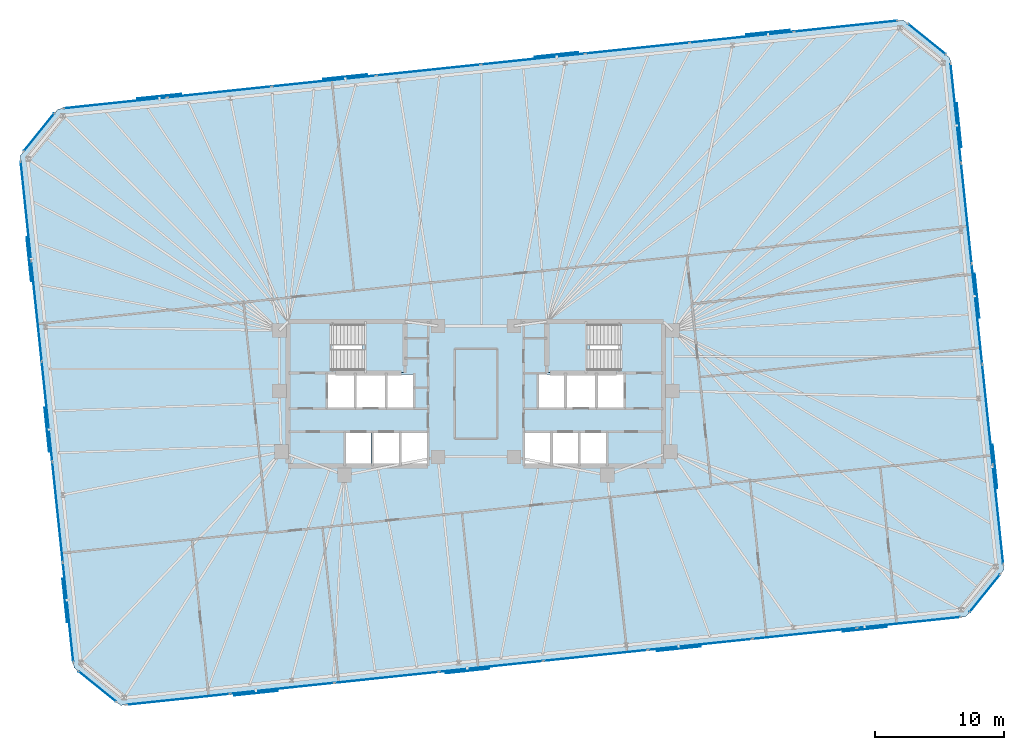
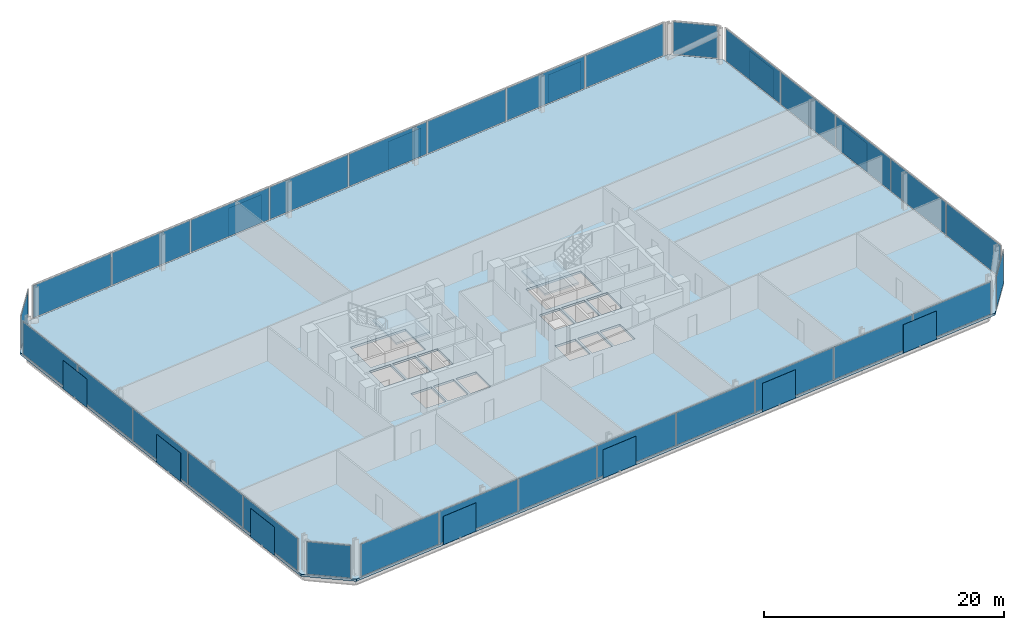
# One storey, part 13 of 18: 44 plates, 3 slabs, 10 elements without a shape of their own.
"""IFC4 building model written with IfcOpenShell, lengths in metres."""

from ifc_helpers import new_model, si_unit, direction, frame, origin, origin_2d, place, context, subcontext, project, spatial, polyline, rectangle, outline, extrude, material, layer, layer_set, type_object, element, aggregate, save


model = new_model("IFC4")

# Units and contexts
model_context = context("Model", 3, precision=1e-05, world=origin(), true_north=direction((0.0, 1.0)))
body_context = subcontext(model_context, "Body", "Model", "MODEL_VIEW")
ifc_project = project(units=[si_unit("LENGTHUNIT", "METRE"), si_unit("AREAUNIT", "SQUARE_METRE"), si_unit("VOLUMEUNIT", "CUBIC_METRE"), si_unit("PLANEANGLEUNIT", "RADIAN"), si_unit("MASSUNIT", "GRAM", prefix="KILO")], contexts=[model_context])

# Site, building, storey
site_placement = place(None, origin())
site = spatial("IfcSite", under=ifc_project, at=site_placement, CompositionType="ELEMENT")
building_placement = place(site_placement, origin())
building = spatial("IfcBuilding", under=site, at=building_placement, Name="Menara Jurai Vektor", CompositionType="ELEMENT")
storey_placement = place(building_placement, frame((0.0, 0.0, 102.199951171875)))
storey = spatial("IfcBuildingStorey", under=building, at=storey_placement, Name="L25", CompositionType="ELEMENT", Elevation=102.199951171875)

# Curtain wall, plates
ifc_material_1 = material(Name="Anodised Pale Aluminium & Low-E Double Glazing", Category="aluminium")
curtain_wall_type = type_object("IfcCurtainWallType", Name="CW-BLK2", PredefinedType="NOTDEFINED", material=ifc_material_1)
curtain_wall_1_placement = place(storey_placement, origin())
curtain_wall_1 = element("IfcCurtainWall", 1, at=curtain_wall_1_placement, inside=storey, type_object=curtain_wall_type, Name="Unitised Curtain Wall L25 F01", PredefinedType="NOTDEFINED")
ifc_material_2 = material(Name="Low-E Solar-Control Double Glazed Unit", Category="glass")
ifc_layer_1 = layer(ifc_material_2, 0.033935546875)
ifc_layer_set_1 = layer_set([ifc_layer_1], Name="Low-E Solar-Control Double Glazed Unit")
plate_type_1 = type_object("IfcPlateType", Name="CW-BLK2-PNL", PredefinedType="CURTAIN_PANEL", material=ifc_layer_set_1)
plate_1_placement = place(storey_placement, frame((-23.090087890625, -23.69921875, 0.090087890625), z_axis=(0.0, 0.0, 1.0), x_axis=(0.994521877325, 0.104528634935, 0.0)))
plate_1 = element("IfcPlate", 2, at=plate_1_placement, type_object=plate_type_1, Name="CW-02 panel 1.1", PredefinedType="CURTAIN_PANEL", context=body_context, shape_type="SweptSolid", body=[
    extrude(rectangle(XDim=8.007568359375, YDim=0.033935546875, at=origin_2d()), origin(), (0.0, 0.0, 1.0), 3.294921875),
])
plate_2_placement = place(storey_placement, frame((-15.014404296875, -22.850341796875, 0.090087890625), z_axis=(0.0, 0.0, 1.0), x_axis=(0.994521877325, 0.104528634935, 0.0)))
plate_2 = element("IfcPlate", 3, at=plate_2_placement, type_object=plate_type_1, Name="CW-02 panel 2.1", PredefinedType="CURTAIN_PANEL", context=body_context, shape_type="SweptSolid", body=[
    extrude(rectangle(XDim=8.052490234375, YDim=0.033935546875, at=origin_2d()), origin(), (0.0, 0.0, 1.0), 3.294921875),
])
plate_3_placement = place(storey_placement, frame((-6.91650390625, -21.999267578125, 0.090087890625), z_axis=(0.0, 0.0, 1.0), x_axis=(0.994521877325, 0.104528634935, 0.0)))
plate_3 = element("IfcPlate", 4, at=plate_3_placement, type_object=plate_type_1, Name="CW-02 panel 3.1", PredefinedType="CURTAIN_PANEL", context=body_context, shape_type="SweptSolid", body=[
    extrude(rectangle(XDim=8.052490234375, YDim=0.033935546875, at=origin_2d()), origin(), (0.0, 0.0, 1.0), 3.294921875),
])
plate_4_placement = place(storey_placement, frame((1.181396484375, -21.148193359375, 0.090087890625), z_axis=(0.0, 0.0, 1.0), x_axis=(0.994521877325, 0.104528634935, 0.0)))
plate_4 = element("IfcPlate", 5, at=plate_4_placement, type_object=plate_type_1, Name="CW-02 panel 4.1", PredefinedType="CURTAIN_PANEL", context=body_context, shape_type="SweptSolid", body=[
    extrude(rectangle(XDim=8.052490234375, YDim=0.033935546875, at=origin_2d()), origin(), (0.0, 0.0, 1.0), 3.294921875),
])
plate_5_placement = place(storey_placement, frame((9.279296875, -20.297119140625, 0.090087890625), z_axis=(0.0, 0.0, 1.0), x_axis=(0.994521877325, 0.104528634935, 0.0)))
plate_5 = element("IfcPlate", 6, at=plate_5_placement, type_object=plate_type_1, Name="CW-02 panel 5.1", PredefinedType="CURTAIN_PANEL", context=body_context, shape_type="SweptSolid", body=[
    extrude(rectangle(XDim=8.052490234375, YDim=0.033935546875, at=origin_2d()), origin(), (0.0, 0.0, 1.0), 3.294921875),
])
plate_6_placement = place(storey_placement, frame((17.377197265625, -19.44580078125, 0.090087890625), z_axis=(0.0, 0.0, 1.0), x_axis=(0.994521877325, 0.104528634935, 0.0)))
plate_6 = element("IfcPlate", 7, at=plate_6_placement, type_object=plate_type_1, Name="CW-02 panel 6.1", PredefinedType="CURTAIN_PANEL", context=body_context, shape_type="SweptSolid", body=[
    extrude(rectangle(XDim=8.052490234375, YDim=0.033935546875, at=origin_2d()), origin(), (0.0, 0.0, 1.0), 3.294921875),
])
plate_7_placement = place(storey_placement, frame((25.47509765625, -18.5947265625, 0.090087890625), z_axis=(0.0, 0.0, 1.0), x_axis=(0.994521877325, 0.104528634935, 0.0)))
plate_7 = element("IfcPlate", 8, at=plate_7_placement, type_object=plate_type_1, Name="CW-02 panel 7.1", PredefinedType="CURTAIN_PANEL", context=body_context, shape_type="SweptSolid", body=[
    extrude(rectangle(XDim=8.052490234375, YDim=0.033935546875, at=origin_2d()), origin(), (0.0, 0.0, 1.0), 3.294921875),
])
plate_8_placement = place(storey_placement, frame((33.550537109375, -17.74609375, 0.090087890625), z_axis=(0.0, 0.0, 1.0), x_axis=(0.994521877325, 0.104528634935, 0.0)))
plate_8 = element("IfcPlate", 9, at=plate_8_placement, type_object=plate_type_1, Name="CW-02 panel 8.1", PredefinedType="CURTAIN_PANEL", context=body_context, shape_type="SweptSolid", body=[
    extrude(rectangle(XDim=8.007568359375, YDim=0.033935546875, at=origin_2d()), origin(), (0.0, 0.0, 1.0), 3.294921875),
])
aggregate(curtain_wall_1, [plate_1, plate_2, plate_3, plate_4, plate_5, plate_6, plate_7, plate_8])

curtain_wall_2_placement = place(storey_placement, origin())
curtain_wall_2 = element("IfcCurtainWall", 10, at=curtain_wall_2_placement, inside=storey, type_object=curtain_wall_type, Name="Unitised Curtain Wall L25 F03", PredefinedType="NOTDEFINED")
plate_9_placement = place(storey_placement, frame((40.485595703125, -9.358642578125, 0.090087890625), z_axis=(0.0, 0.0, 1.0), x_axis=(-0.104529576902, 0.99452177832, 0.0)))
plate_9 = element("IfcPlate", 11, at=plate_9_placement, type_object=plate_type_1, Name="CW-02 panel 1.1", PredefinedType="CURTAIN_PANEL", context=body_context, shape_type="SweptSolid", body=[
    extrude(rectangle(XDim=7.693115234375, YDim=0.033935546875, at=origin_2d()), origin(), (0.0, 0.0, 1.0), 3.294921875),
])
plate_10_placement = place(storey_placement, frame((39.669677734375, -1.595947265625, 0.090087890625), z_axis=(0.0, 0.0, 1.0), x_axis=(-0.104529576902, 0.99452177832, 0.0)))
plate_10 = element("IfcPlate", 12, at=plate_10_placement, type_object=plate_type_1, Name="CW-02 panel 2.1", PredefinedType="CURTAIN_PANEL", context=body_context, shape_type="SweptSolid", body=[
    extrude(rectangle(XDim=7.738037109375, YDim=0.033935546875, at=origin_2d()), origin(), (0.0, 0.0, 1.0), 3.294921875),
])
plate_11_placement = place(storey_placement, frame((38.8515625, 6.189208984375, 0.090087890625), z_axis=(0.0, 0.0, 1.0), x_axis=(-0.104529576902, 0.99452177832, 0.0)))
plate_11 = element("IfcPlate", 13, at=plate_11_placement, type_object=plate_type_1, Name="CW-02 panel 3.1", PredefinedType="CURTAIN_PANEL", context=body_context, shape_type="SweptSolid", body=[
    extrude(rectangle(XDim=7.738037109375, YDim=0.033935546875, at=origin_2d()), origin(), (0.0, 0.0, 1.0), 3.294921875),
])
plate_12_placement = place(storey_placement, frame((38.033203125, 13.974365234375, 0.090087890625), z_axis=(0.0, 0.0, 1.0), x_axis=(-0.104529576902, 0.99452177832, 0.0)))
plate_12 = element("IfcPlate", 14, at=plate_12_placement, type_object=plate_type_1, Name="CW-02 panel 4.1", PredefinedType="CURTAIN_PANEL", context=body_context, shape_type="SweptSolid", body=[
    extrude(rectangle(XDim=7.738037109375, YDim=0.033935546875, at=origin_2d()), origin(), (0.0, 0.0, 1.0), 3.294921875),
])
plate_13_placement = place(storey_placement, frame((37.21728515625, 21.737060546875, 0.090087890625), z_axis=(0.0, 0.0, 1.0), x_axis=(-0.104529576902, 0.99452177832, 0.0)))
plate_13 = element("IfcPlate", 15, at=plate_13_placement, type_object=plate_type_1, Name="CW-02 panel 5.1", PredefinedType="CURTAIN_PANEL", context=body_context, shape_type="SweptSolid", body=[
    extrude(rectangle(XDim=7.693115234375, YDim=0.033935546875, at=origin_2d()), origin(), (0.0, 0.0, 1.0), 3.294921875),
])
aggregate(curtain_wall_2, [plate_9, plate_10, plate_11, plate_12, plate_13])

curtain_wall_3_placement = place(storey_placement, origin())
curtain_wall_3 = element("IfcCurtainWall", 16, at=curtain_wall_3_placement, inside=storey, type_object=curtain_wall_type, Name="Unitised Curtain Wall L25 F05", PredefinedType="NOTDEFINED")
plate_14_placement = place(storey_placement, frame((28.68994140625, 28.499267578125, 0.090087890625), z_axis=(0.0, 0.0, 1.0), x_axis=(-0.994521877325, -0.104528634935, 0.0)))
plate_14 = element("IfcPlate", 17, at=plate_14_placement, type_object=plate_type_1, Name="CW-02 panel 1.1", PredefinedType="CURTAIN_PANEL", context=body_context, shape_type="SweptSolid", body=[
    extrude(rectangle(XDim=8.007568359375, YDim=0.033935546875, at=origin_2d()), origin(), (0.0, 0.0, 1.0), 3.294921875),
])
plate_15_placement = place(storey_placement, frame((20.614501953125, 27.650390625, 0.090087890625), z_axis=(0.0, 0.0, 1.0), x_axis=(-0.994521877325, -0.104528634935, 0.0)))
plate_15 = element("IfcPlate", 18, at=plate_15_placement, type_object=plate_type_1, Name="CW-02 panel 2.1", PredefinedType="CURTAIN_PANEL", context=body_context, shape_type="SweptSolid", body=[
    extrude(rectangle(XDim=8.052490234375, YDim=0.033935546875, at=origin_2d()), origin(), (0.0, 0.0, 1.0), 3.294921875),
])
plate_16_placement = place(storey_placement, frame((12.5166015625, 26.79931640625, 0.090087890625), z_axis=(0.0, 0.0, 1.0), x_axis=(-0.994521877325, -0.104528634935, 0.0)))
plate_16 = element("IfcPlate", 19, at=plate_16_placement, type_object=plate_type_1, Name="CW-02 panel 3.1", PredefinedType="CURTAIN_PANEL", context=body_context, shape_type="SweptSolid", body=[
    extrude(rectangle(XDim=8.052490234375, YDim=0.033935546875, at=origin_2d()), origin(), (0.0, 0.0, 1.0), 3.294921875),
])
plate_17_placement = place(storey_placement, frame((4.418701171875, 25.9482421875, 0.090087890625), z_axis=(0.0, 0.0, 1.0), x_axis=(-0.994521877325, -0.104528634935, 0.0)))
plate_17 = element("IfcPlate", 20, at=plate_17_placement, type_object=plate_type_1, Name="CW-02 panel 4.1", PredefinedType="CURTAIN_PANEL", context=body_context, shape_type="SweptSolid", body=[
    extrude(rectangle(XDim=8.052490234375, YDim=0.033935546875, at=origin_2d()), origin(), (0.0, 0.0, 1.0), 3.294921875),
])
plate_18_placement = place(storey_placement, frame((-3.67919921875, 25.096923828125, 0.090087890625), z_axis=(0.0, 0.0, 1.0), x_axis=(-0.994521877325, -0.104528634935, 0.0)))
plate_18 = element("IfcPlate", 21, at=plate_18_placement, type_object=plate_type_1, Name="CW-02 panel 5.1", PredefinedType="CURTAIN_PANEL", context=body_context, shape_type="SweptSolid", body=[
    extrude(rectangle(XDim=8.052490234375, YDim=0.033935546875, at=origin_2d()), origin(), (0.0, 0.0, 1.0), 3.294921875),
])
plate_19_placement = place(storey_placement, frame((-11.777099609375, 24.245849609375, 0.090087890625), z_axis=(0.0, 0.0, 1.0), x_axis=(-0.994521877325, -0.104528634935, 0.0)))
plate_19 = element("IfcPlate", 22, at=plate_19_placement, type_object=plate_type_1, Name="CW-02 panel 6.1", PredefinedType="CURTAIN_PANEL", context=body_context, shape_type="SweptSolid", body=[
    extrude(rectangle(XDim=8.052490234375, YDim=0.033935546875, at=origin_2d()), origin(), (0.0, 0.0, 1.0), 3.294921875),
])
plate_20_placement = place(storey_placement, frame((-19.875, 23.394775390625, 0.090087890625), z_axis=(0.0, 0.0, 1.0), x_axis=(-0.994521877325, -0.104528634935, 0.0)))
plate_20 = element("IfcPlate", 23, at=plate_20_placement, type_object=plate_type_1, Name="CW-02 panel 7.1", PredefinedType="CURTAIN_PANEL", context=body_context, shape_type="SweptSolid", body=[
    extrude(rectangle(XDim=8.052490234375, YDim=0.033935546875, at=origin_2d()), origin(), (0.0, 0.0, 1.0), 3.294921875),
])
plate_21_placement = place(storey_placement, frame((-27.95068359375, 22.5458984375, 0.090087890625), z_axis=(0.0, 0.0, 1.0), x_axis=(-0.994521877325, -0.104528634935, 0.0)))
plate_21 = element("IfcPlate", 24, at=plate_21_placement, type_object=plate_type_1, Name="CW-02 panel 8.1", PredefinedType="CURTAIN_PANEL", context=body_context, shape_type="SweptSolid", body=[
    extrude(rectangle(XDim=8.007568359375, YDim=0.033935546875, at=origin_2d()), origin(), (0.0, 0.0, 1.0), 3.294921875),
])
aggregate(curtain_wall_3, [plate_14, plate_15, plate_16, plate_17, plate_18, plate_19, plate_20, plate_21])

curtain_wall_4_placement = place(storey_placement, origin())
curtain_wall_4 = element("IfcCurtainWall", 25, at=curtain_wall_4_placement, inside=storey, type_object=curtain_wall_type, Name="Unitised Curtain Wall L25 F07", PredefinedType="NOTDEFINED")
plate_22_placement = place(storey_placement, frame((-34.885498046875, 14.15869140625, 0.090087890625), z_axis=(0.0, 0.0, 1.0), x_axis=(0.104529576902, -0.99452177832, 0.0)))
plate_22 = element("IfcPlate", 26, at=plate_22_placement, type_object=plate_type_1, Name="CW-02 panel 1.1", PredefinedType="CURTAIN_PANEL", context=body_context, shape_type="SweptSolid", body=[
    extrude(rectangle(XDim=7.693115234375, YDim=0.033935546875, at=origin_2d()), origin(), (0.0, 0.0, 1.0), 3.294921875),
])
plate_23_placement = place(storey_placement, frame((-34.06982421875, 6.39599609375, 0.090087890625), z_axis=(0.0, 0.0, 1.0), x_axis=(0.104529576902, -0.99452177832, 0.0)))
plate_23 = element("IfcPlate", 27, at=plate_23_placement, type_object=plate_type_1, Name="CW-02 panel 2.1", PredefinedType="CURTAIN_PANEL", context=body_context, shape_type="SweptSolid", body=[
    extrude(rectangle(XDim=7.738037109375, YDim=0.033935546875, at=origin_2d()), origin(), (0.0, 0.0, 1.0), 3.294921875),
])
plate_24_placement = place(storey_placement, frame((-33.25146484375, -1.38916015625, 0.090087890625), z_axis=(0.0, 0.0, 1.0), x_axis=(0.104529576902, -0.99452177832, 0.0)))
plate_24 = element("IfcPlate", 28, at=plate_24_placement, type_object=plate_type_1, Name="CW-02 panel 3.1", PredefinedType="CURTAIN_PANEL", context=body_context, shape_type="SweptSolid", body=[
    extrude(rectangle(XDim=7.738037109375, YDim=0.033935546875, at=origin_2d()), origin(), (0.0, 0.0, 1.0), 3.294921875),
])
plate_25_placement = place(storey_placement, frame((-32.43310546875, -9.17431640625, 0.090087890625), z_axis=(0.0, 0.0, 1.0), x_axis=(0.104529576902, -0.99452177832, 0.0)))
plate_25 = element("IfcPlate", 29, at=plate_25_placement, type_object=plate_type_1, Name="CW-02 panel 4.1", PredefinedType="CURTAIN_PANEL", context=body_context, shape_type="SweptSolid", body=[
    extrude(rectangle(XDim=7.738037109375, YDim=0.033935546875, at=origin_2d()), origin(), (0.0, 0.0, 1.0), 3.294921875),
])
plate_26_placement = place(storey_placement, frame((-31.6171875, -16.93701171875, 0.090087890625), z_axis=(0.0, 0.0, 1.0), x_axis=(0.104529576902, -0.99452177832, 0.0)))
plate_26 = element("IfcPlate", 30, at=plate_26_placement, type_object=plate_type_1, Name="CW-02 panel 5.1", PredefinedType="CURTAIN_PANEL", context=body_context, shape_type="SweptSolid", body=[
    extrude(rectangle(XDim=7.693115234375, YDim=0.033935546875, at=origin_2d()), origin(), (0.0, 0.0, 1.0), 3.294921875),
])
aggregate(curtain_wall_4, [plate_22, plate_23, plate_24, plate_25, plate_26])

# Curtain wall, plate
curtain_wall_5_placement = place(storey_placement, origin())
curtain_wall_5 = element("IfcCurtainWall", 31, at=curtain_wall_5_placement, inside=storey, type_object=curtain_wall_type, Name="Unitised Curtain Wall L25 F02", PredefinedType="NOTDEFINED")
ifc_material_3 = material(Name="Insulated Pale Aluminium Spandrel Panel", Category="aluminium")
ifc_layer_2 = layer(ifc_material_3, 0.06005859375)
ifc_layer_set_2 = layer_set([ifc_layer_2], Name="Insulated Pale Aluminium Spandrel Panel")
plate_type_2 = type_object("IfcPlateType", Name="CW-PNL-SP", PredefinedType="CURTAIN_PANEL", material=ifc_layer_set_2)
plate_27_placement = place(storey_placement, frame((39.46826171875, -15.465087890625, 0.090087890625), z_axis=(0.0, 0.0, 1.0), x_axis=(0.62934106172, 0.777129222223, 0.0)))
plate_27 = element("IfcPlate", 32, at=plate_27_placement, type_object=plate_type_2, Name="CW-02 panel 1.1", PredefinedType="CURTAIN_PANEL", context=body_context, shape_type="SweptSolid", body=[
    extrude(rectangle(XDim=3.72705078125, YDim=0.06005859375, at=origin_2d()), origin(), (0.0, 0.0, 1.0), 3.294921875),
])
aggregate(curtain_wall_5, [plate_27])

curtain_wall_6_placement = place(storey_placement, origin())
curtain_wall_6 = element("IfcCurtainWall", 33, at=curtain_wall_6_placement, inside=storey, type_object=curtain_wall_type, Name="Unitised Curtain Wall L25 F04", PredefinedType="NOTDEFINED")
plate_28_placement = place(storey_placement, frame((34.95263671875, 27.498291015625, 0.090087890625), z_axis=(0.0, 0.0, 1.0), x_axis=(-0.777151877437, 0.629313085353, 0.0)))
plate_28 = element("IfcPlate", 34, at=plate_28_placement, type_object=plate_type_2, Name="CW-02 panel 1.1", PredefinedType="CURTAIN_PANEL", context=body_context, shape_type="SweptSolid", body=[
    extrude(rectangle(XDim=3.72705078125, YDim=0.06005859375, at=origin_2d()), origin(), (0.0, 0.0, 1.0), 3.294921875),
])
aggregate(curtain_wall_6, [plate_28])

curtain_wall_7_placement = place(storey_placement, origin())
curtain_wall_7 = element("IfcCurtainWall", 35, at=curtain_wall_7_placement, inside=storey, type_object=curtain_wall_type, Name="Unitised Curtain Wall L25 F06", PredefinedType="NOTDEFINED")
plate_29_placement = place(storey_placement, frame((-33.868408203125, 20.264892578125, 0.090087890625), z_axis=(0.0, 0.0, 1.0), x_axis=(-0.62934106172, -0.777129222223, 0.0)))
plate_29 = element("IfcPlate", 36, at=plate_29_placement, type_object=plate_type_2, Name="CW-02 panel 1.1", PredefinedType="CURTAIN_PANEL", context=body_context, shape_type="SweptSolid", body=[
    extrude(rectangle(XDim=3.72705078125, YDim=0.06005859375, at=origin_2d()), origin(), (0.0, 0.0, 1.0), 3.294921875),
])
aggregate(curtain_wall_7, [plate_29])

curtain_wall_8_placement = place(storey_placement, origin())
curtain_wall_8 = element("IfcCurtainWall", 37, at=curtain_wall_8_placement, inside=storey, type_object=curtain_wall_type, Name="Unitised Curtain Wall L25 F08", PredefinedType="NOTDEFINED")
plate_30_placement = place(storey_placement, frame((-29.3525390625, -22.6982421875, 0.090087890625), z_axis=(0.0, 0.0, 1.0), x_axis=(0.777151877437, -0.629313085353, 0.0)))
plate_30 = element("IfcPlate", 38, at=plate_30_placement, type_object=plate_type_2, Name="CW-02 panel 1.1", PredefinedType="CURTAIN_PANEL", context=body_context, shape_type="SweptSolid", body=[
    extrude(rectangle(XDim=3.72705078125, YDim=0.06005859375, at=origin_2d()), origin(), (0.0, 0.0, 1.0), 3.294921875),
])
aggregate(curtain_wall_8, [plate_30])

# Plates
ifc_material_4 = material(Name="Anodised Pale Aluminium Perforated Screen", Category="aluminium")
ifc_layer_3 = layer(ifc_material_4, 0.02392578125)
ifc_layer_set_3 = layer_set([ifc_layer_3], Name="Anodised Pale Aluminium Perforated Screen")
plate_type_3 = type_object("IfcPlateType", Name="ENV-PLT-SCREEN", PredefinedType="USERDEFINED", material=ifc_layer_set_3)
for number, where, z_axis, x_axis, name in (
    (39, (-17.0361328125, -23.223876953125, -0.0498046875), (0.0, 0.0, 1.0), (0.994521895368, 0.104528463268, 0.0), "Perforated Pale-Metal Solar Screen L25-S01"),
    (40, (-0.651611328125, -21.501708984375, -0.0498046875), (0.0, 0.0, 1.0), (0.994521895368, 0.104528463268, 0.0), "Perforated Pale-Metal Solar Screen L25-S02"),
    (41, (15.7333984375, -19.779541015625, -0.0498046875), (0.0, 0.0, 1.0), (0.994521895368, 0.104528463268, 0.0), "Perforated Pale-Metal Solar Screen L25-S03"),
    (42, (30.15185546875, -18.26416015625, -0.0498046875), (0.0, 0.0, 1.0), (0.994521895368, 0.104528463268, 0.0), "Perforated Pale-Metal Solar Screen L25-S04"),
    (43, (40.2548828125, -5.63232421875, -0.0498046875), (0.0, 0.0, 1.0), (-0.104528463268, 0.994521895368, 0.0), "Perforated Pale-Metal Solar Screen L25-S05"),
    (44, (38.864501953125, 7.5947265625, -0.0498046875), (0.0, 0.0, 1.0), (-0.104528463268, 0.994521895368, 0.0), "Perforated Pale-Metal Solar Screen L25-S06"),
    (45, (37.474365234375, 20.822021484375, -0.0498046875), (0.0, 0.0, 1.0), (-0.104528463268, 0.994521895368, 0.0), "Perforated Pale-Metal Solar Screen L25-S07"),
    (46, (22.63623046875, 28.023681640625, -0.0498046875), (0.0, 0.0, 1.0), (-0.994521895368, -0.104528463268, 0.0), "Perforated Pale-Metal Solar Screen L25-S08"),
    (47, (6.25146484375, 26.3017578125, -0.0498046875), (0.0, 0.0, 1.0), (-0.994521895368, -0.104528463268, 0.0), "Perforated Pale-Metal Solar Screen L25-S09"),
    (48, (-10.13330078125, 24.57958984375, -0.0498046875), (0.0, 0.0, 1.0), (-0.994521895368, -0.104528463268, 0.0), "Perforated Pale-Metal Solar Screen L25-S10"),
    (49, (-24.5517578125, 23.064208984375, -0.0498046875), (0.0, 0.0, 1.0), (-0.994521895368, -0.104528463268, 0.0), "Perforated Pale-Metal Solar Screen L25-S11"),
    (50, (-34.65478515625, 10.432373046875, -0.0498046875), (0.0, 0.0, 1.0), (0.104528463268, -0.994521895368, 0.0), "Perforated Pale-Metal Solar Screen L25-S12"),
    (51, (-33.2646484375, -2.794677734375, -0.0498046875), (0.0, 0.0, 1.0), (0.104528463268, -0.994521895368, 0.0), "Perforated Pale-Metal Solar Screen L25-S13"),
    (52, (-31.87451171875, -16.02197265625, -0.0498046875), (0.0, 0.0, 1.0), (0.104528463268, -0.994521895368, 0.0), "Perforated Pale-Metal Solar Screen L25-S14"),
):
    element("IfcPlate", number, at=place(storey_placement, frame(where, z_axis=z_axis, x_axis=x_axis)), inside=storey, type_object=plate_type_3, Name=name, ObjectType="SCREEN", PredefinedType="USERDEFINED", context=body_context, shape_type="SweptSolid", body=[
        extrude(rectangle(XDim=3.39990234375, YDim=0.02392578125, at=origin_2d()), origin(), (0.0, 0.0, 1.0), 2.89990234375),
    ])

# Stair, slab
ifc_material_5 = material(Name="Concrete C40/50", Category="concrete")
stair_type = type_object("IfcStairType", Name="STAIR-DOGLEG-1500", PredefinedType="HALF_TURN_STAIR", material=ifc_material_5)
stair_1_placement = place(storey_placement, origin())
stair_1 = element("IfcStair", 53, at=stair_1_placement, inside=storey, type_object=stair_type, Name="Protected Exit Stair ST1 L25", PredefinedType="HALF_TURN_STAIR")
ifc_layer_4 = layer(ifc_material_5, 0.199951171875)
ifc_layer_set_4 = layer_set([ifc_layer_4], Name="Concrete C40/50")
slab_type_1 = type_object("IfcSlabType", Name="STAIR-LANDING-200", PredefinedType="LANDING", material=ifc_layer_set_4)
slab_1_placement = place(storey_placement, frame((0.0, 0.0, 1.650146484375)))
slab_1 = element("IfcSlab", 54, at=slab_1_placement, type_object=slab_type_1, Name="ST1 landing 1", PredefinedType="LANDING", context=body_context, shape_type="SweptSolid", body=[
    extrude(outline(polyline([(-8.800048828125, 1.64990234375), (-5.550048828125, 1.64990234375), (-5.550048828125, 5.550048828125), (-8.800048828125, 5.550048828125), (-8.800048828125, 1.64990234375)])), origin(), (0.0, 0.0, 1.0), 0.199951171875),
])
aggregate(stair_1, [slab_1])

stair_2_placement = place(storey_placement, origin())
stair_2 = element("IfcStair", 55, at=stair_2_placement, inside=storey, type_object=stair_type, Name="Protected Exit Stair ST2 L25", PredefinedType="HALF_TURN_STAIR")
slab_2_placement = place(storey_placement, frame((0.0, 0.0, 1.650146484375)))
slab_2 = element("IfcSlab", 56, at=slab_2_placement, type_object=slab_type_1, Name="ST2 landing 1", PredefinedType="LANDING", context=body_context, shape_type="SweptSolid", body=[
    extrude(outline(polyline([(5.550048828125, 1.64990234375), (8.800048828125, 1.64990234375), (8.800048828125, 5.550048828125), (5.550048828125, 5.550048828125), (5.550048828125, 1.64990234375)])), origin(), (0.0, 0.0, 1.0), 0.199951171875),
])
aggregate(stair_2, [slab_2])

# Slab
ifc_layer_5 = layer(ifc_material_5, 0.22509765625)
ifc_layer_set_5 = layer_set([ifc_layer_5], Name="Concrete C40/50")
slab_type_2 = type_object("IfcSlabType", Name="STR-SLAB-TYP200", PredefinedType="FLOOR", material=ifc_layer_set_5)
slab_3_placement = place(storey_placement, frame((0.0, 0.0, -0.224853515625)))
element("IfcSlab", 57, at=slab_3_placement, inside=storey, type_object=slab_type_2, Name="Composite Floor Slab L25", PredefinedType="FLOOR", context=body_context, shape_type="SweptSolid", body=[
    extrude(outline(polyline([(-27.539306640625, -24.166748046875), (37.999755859375, -17.2783203125), (40.936767578125, -13.651611328125), (36.76611328125, 26.02978515625), (33.13916015625, 28.966796875), (-32.39990234375, 22.078369140625), (-35.3369140625, 18.45166015625), (-31.166015625, -21.22998046875), (-27.539306640625, -24.166748046875)]), holes=[polyline([(-11.10009765625, 1.89990234375), (-11.10009765625, 5.300048828125), (-5.800048828125, 5.300048828125), (-5.800048828125, 1.89990234375), (-11.10009765625, 1.89990234375)]), polyline([(5.800048828125, 1.89990234375), (5.800048828125, 5.300048828125), (11.10009765625, 5.300048828125), (11.10009765625, 1.89990234375), (5.800048828125, 1.89990234375)]), polyline([(-11.449951171875, -1.050048828125), (-11.449951171875, 1.5), (-9.449951171875, 1.5), (-9.449951171875, -1.050048828125), (-11.449951171875, -1.050048828125)]), polyline([(9.449951171875, -1.050048828125), (9.449951171875, 1.5), (11.449951171875, 1.5), (11.449951171875, -1.050048828125), (9.449951171875, -1.050048828125)]), polyline([(-5.760009765625, -5.5), (-5.760009765625, -3.050048828125), (-3.800048828125, -3.050048828125), (-3.800048828125, -5.5), (-5.760009765625, -5.5)]), polyline([(-6.85009765625, -1.050048828125), (-6.85009765625, 1.5), (-4.889892578125, 1.5), (-4.889892578125, -1.050048828125), (-6.85009765625, -1.050048828125)]), polyline([(3.800048828125, -5.5), (3.800048828125, -3.050048828125), (5.760009765625, -3.050048828125), (5.760009765625, -5.5), (3.800048828125, -5.5)]), polyline([(4.889892578125, -1.050048828125), (4.889892578125, 1.5), (6.85009765625, 1.5), (6.85009765625, -1.050048828125), (4.889892578125, -1.050048828125)]), polyline([(-10.080078125, -5.5), (-10.080078125, -3.050048828125), (-8.1201171875, -3.050048828125), (-8.1201171875, -5.5), (-10.080078125, -5.5)]), polyline([(-7.919921875, -5.5), (-7.919921875, -3.050048828125), (-5.9599609375, -3.050048828125), (-5.9599609375, -5.5), (-7.919921875, -5.5)]), polyline([(5.9599609375, -5.5), (5.9599609375, -3.050048828125), (7.919921875, -3.050048828125), (7.919921875, -5.5), (5.9599609375, -5.5)]), polyline([(8.1201171875, -5.5), (8.1201171875, -3.050048828125), (10.080078125, -3.050048828125), (10.080078125, -5.5), (8.1201171875, -5.5)]), polyline([(-9.25, -1.050048828125), (-9.25, 1.5), (-7.050048828125, 1.5), (-7.050048828125, -1.050048828125), (-9.25, -1.050048828125)]), polyline([(7.050048828125, -1.050048828125), (7.050048828125, 1.5), (9.25, 1.5), (9.25, -1.050048828125), (7.050048828125, -1.050048828125)])]), origin(), (0.0, 0.0, 1.0), 0.224853515625),
])

save(model, "model.ifc")
